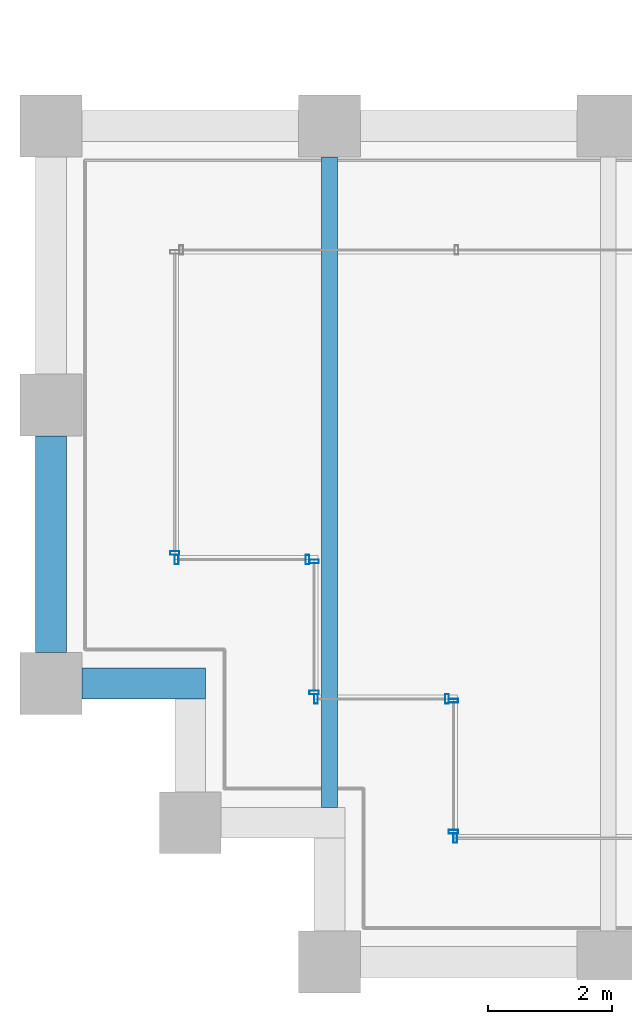
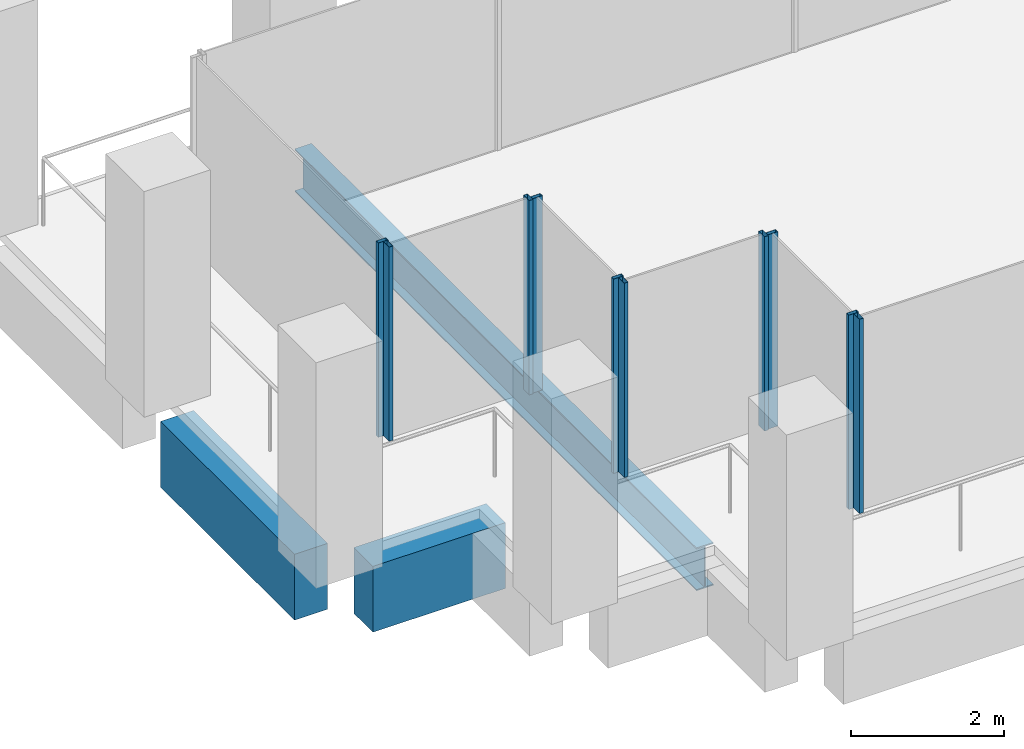
# One storey, part 2 of 46: 10 members, 3 beams, 6 elements without a shape of their own.
"""IFC4 building model written with IfcOpenShell, lengths in metres."""

from ifc_helpers import new_model, si_unit, direction, frame, origin, origin_2d, place, context, subcontext, project, spatial, rectangle, hollow_rectangle, i_section, extrude, material, material_profile, profile_set, type_object, element, aggregate, save


model = new_model("IFC4")

# Units and contexts
model_context = context("Model", 3, precision=1e-05, world=origin(), true_north=direction((0.0, 1.0)))
body_context = subcontext(model_context, "Body", "Model", "MODEL_VIEW")
ifc_project = project(units=[si_unit("LENGTHUNIT", "METRE"), si_unit("AREAUNIT", "SQUARE_METRE"), si_unit("VOLUMEUNIT", "CUBIC_METRE"), si_unit("PLANEANGLEUNIT", "RADIAN"), si_unit("MASSUNIT", "GRAM", prefix="KILO")], contexts=[model_context])

# Site, building, storey
site_placement = place(None, origin())
site = spatial("IfcSite", under=ifc_project, at=site_placement, CompositionType="ELEMENT")
building_placement = place(site_placement, origin())
building = spatial("IfcBuilding", under=site, at=building_placement, Name="Altepetl Exchange Towers", CompositionType="ELEMENT")
storey_placement = place(building_placement, frame((0.0, 0.0, 128.0)))
storey = spatial("IfcBuildingStorey", under=building, at=storey_placement, Name="L31", CompositionType="ELEMENT", Elevation=128.0)

# Beam
ifc_material_1 = material(Name="Steel S355", Category="steel")
ifc_material_profile_1 = material_profile(ifc_material_1, i_section(OverallWidth=0.25390625, OverallDepth=0.68408203125, WebThickness=0.012451171875, FlangeThickness=0.018798828125, at=origin_2d()), Name="W27X94")
ifc_profile_set_1 = profile_set([ifc_material_profile_1], Name="Steel S355")
beam_type_1 = type_object("IfcBeamType", Name="Floor beam W27X94", PredefinedType="BEAM", material=ifc_profile_set_1)
beam_1_placement = place(storey_placement, frame((31.5, 29.5, -0.491943359375), z_axis=(0.0, 1.0, 0.0), x_axis=(-1.0, 0.0, 0.0)))
element("IfcBeam", 1, at=beam_1_placement, inside=storey, type_object=beam_type_1, Name="bm:A:L31:012", PredefinedType="BEAM", context=body_context, shape_type="SweptSolid", body=[
    extrude(i_section(OverallWidth=0.25390625, OverallDepth=0.68408203125, WebThickness=0.012451171875, FlangeThickness=0.018798828125, at=origin_2d()), origin(), (0.0, 0.0, 1.0), 10.5),
])

# Curtain wall, member
ifc_material_2 = material(Name="Aluminium 6063-T6 glazing", Category="aluminium")
curtain_wall_type = type_object("IfcCurtainWallType", Name="Loggia glazing system", PredefinedType="NOTDEFINED", material=ifc_material_2)
curtain_wall_1_placement = place(storey_placement, origin())
curtain_wall_1 = element("IfcCurtainWall", 2, at=curtain_wall_1_placement, inside=storey, type_object=curtain_wall_type, Name="CW1 run", PredefinedType="NOTDEFINED")
ifc_material_3 = material(Name="Aluminium 6063-T6", Category="aluminium")
ifc_material_profile_2 = material_profile(ifc_material_3, hollow_rectangle(XDim=0.06005859375, YDim=0.14990234375, WallThickness=0.0029296875, at=origin_2d()), Name="Mullion 60x150 aluminium")
ifc_profile_set_2 = profile_set([ifc_material_profile_2], Name="Aluminium 6063-T6")
member_type = type_object("IfcMemberType", Name="Mullion 60x150 aluminium", PredefinedType="MULLION", material=ifc_profile_set_2)
member_1_placement = place(storey_placement, frame((29.0, 33.60498046875, 0.0), z_axis=(0.0, 0.0, 1.0), x_axis=(0.0, -1.0, 0.0)))
member_1 = element("IfcMember", 3, at=member_1_placement, type_object=member_type, Name="MU1 mullion", PredefinedType="MULLION", context=body_context, shape_type="SweptSolid", body=[
    extrude(hollow_rectangle(XDim=0.06005859375, YDim=0.14990234375, WallThickness=0.0029296875, at=origin_2d()), origin(), (0.0, 0.0, 1.0), 3.10009765625),
])
aggregate(curtain_wall_1, [member_1])

# Curtain wall, members
curtain_wall_2_placement = place(storey_placement, origin())
curtain_wall_2 = element("IfcCurtainWall", 4, at=curtain_wall_2_placement, inside=storey, type_object=curtain_wall_type, Name="CW1 run", PredefinedType="NOTDEFINED")
member_2_placement = place(storey_placement, frame((29.030029296875, 33.5, 0.0)))
member_2 = element("IfcMember", 5, at=member_2_placement, type_object=member_type, Name="MU1 mullion", PredefinedType="MULLION", context=body_context, shape_type="SweptSolid", body=[
    extrude(hollow_rectangle(XDim=0.06005859375, YDim=0.14990234375, WallThickness=0.0029296875, at=origin_2d()), origin(), (0.0, 0.0, 1.0), 3.10009765625),
])
member_3_placement = place(storey_placement, frame((31.14501953125, 33.5, 0.0)))
member_3 = element("IfcMember", 6, at=member_3_placement, type_object=member_type, Name="MU1 mullion", PredefinedType="MULLION", context=body_context, shape_type="SweptSolid", body=[
    extrude(hollow_rectangle(XDim=0.06005859375, YDim=0.14990234375, WallThickness=0.0029296875, at=origin_2d()), origin(), (0.0, 0.0, 1.0), 3.10009765625),
])
aggregate(curtain_wall_2, [member_2, member_3])

curtain_wall_3_placement = place(storey_placement, origin())
curtain_wall_3 = element("IfcCurtainWall", 7, at=curtain_wall_3_placement, inside=storey, type_object=curtain_wall_type, Name="CW1 run", PredefinedType="NOTDEFINED")
member_4_placement = place(storey_placement, frame((31.25, 33.469970703125, 0.0), z_axis=(0.0, 0.0, 1.0), x_axis=(0.0, -1.0, 0.0)))
member_4 = element("IfcMember", 8, at=member_4_placement, type_object=member_type, Name="MU1 mullion", PredefinedType="MULLION", context=body_context, shape_type="SweptSolid", body=[
    extrude(hollow_rectangle(XDim=0.06005859375, YDim=0.14990234375, WallThickness=0.0029296875, at=origin_2d()), origin(), (0.0, 0.0, 1.0), 3.10009765625),
])
member_5_placement = place(storey_placement, frame((31.25, 31.35498046875, 0.0), z_axis=(0.0, 0.0, 1.0), x_axis=(0.0, -1.0, 0.0)))
member_5 = element("IfcMember", 9, at=member_5_placement, type_object=member_type, Name="MU1 mullion", PredefinedType="MULLION", context=body_context, shape_type="SweptSolid", body=[
    extrude(hollow_rectangle(XDim=0.06005859375, YDim=0.14990234375, WallThickness=0.0029296875, at=origin_2d()), origin(), (0.0, 0.0, 1.0), 3.10009765625),
])
aggregate(curtain_wall_3, [member_4, member_5])

curtain_wall_4_placement = place(storey_placement, origin())
curtain_wall_4 = element("IfcCurtainWall", 10, at=curtain_wall_4_placement, inside=storey, type_object=curtain_wall_type, Name="CW1 run", PredefinedType="NOTDEFINED")
member_6_placement = place(storey_placement, frame((31.280029296875, 31.25, 0.0)))
member_6 = element("IfcMember", 11, at=member_6_placement, type_object=member_type, Name="MU1 mullion", PredefinedType="MULLION", context=body_context, shape_type="SweptSolid", body=[
    extrude(hollow_rectangle(XDim=0.06005859375, YDim=0.14990234375, WallThickness=0.0029296875, at=origin_2d()), origin(), (0.0, 0.0, 1.0), 3.10009765625),
])
member_7_placement = place(storey_placement, frame((33.39501953125, 31.25, 0.0)))
member_7 = element("IfcMember", 12, at=member_7_placement, type_object=member_type, Name="MU1 mullion", PredefinedType="MULLION", context=body_context, shape_type="SweptSolid", body=[
    extrude(hollow_rectangle(XDim=0.06005859375, YDim=0.14990234375, WallThickness=0.0029296875, at=origin_2d()), origin(), (0.0, 0.0, 1.0), 3.10009765625),
])
aggregate(curtain_wall_4, [member_6, member_7])

curtain_wall_5_placement = place(storey_placement, origin())
curtain_wall_5 = element("IfcCurtainWall", 13, at=curtain_wall_5_placement, inside=storey, type_object=curtain_wall_type, Name="CW1 run", PredefinedType="NOTDEFINED")
member_8_placement = place(storey_placement, frame((33.5, 31.219970703125, 0.0), z_axis=(0.0, 0.0, 1.0), x_axis=(0.0, -1.0, 0.0)))
member_8 = element("IfcMember", 14, at=member_8_placement, type_object=member_type, Name="MU1 mullion", PredefinedType="MULLION", context=body_context, shape_type="SweptSolid", body=[
    extrude(hollow_rectangle(XDim=0.06005859375, YDim=0.14990234375, WallThickness=0.0029296875, at=origin_2d()), origin(), (0.0, 0.0, 1.0), 3.10009765625),
])
member_9_placement = place(storey_placement, frame((33.5, 29.10498046875, 0.0), z_axis=(0.0, 0.0, 1.0), x_axis=(0.0, -1.0, 0.0)))
member_9 = element("IfcMember", 15, at=member_9_placement, type_object=member_type, Name="MU1 mullion", PredefinedType="MULLION", context=body_context, shape_type="SweptSolid", body=[
    extrude(hollow_rectangle(XDim=0.06005859375, YDim=0.14990234375, WallThickness=0.0029296875, at=origin_2d()), origin(), (0.0, 0.0, 1.0), 3.10009765625),
])
aggregate(curtain_wall_5, [member_8, member_9])

# Curtain wall, member
curtain_wall_6_placement = place(storey_placement, origin())
curtain_wall_6 = element("IfcCurtainWall", 16, at=curtain_wall_6_placement, inside=storey, type_object=curtain_wall_type, Name="CW1 run", PredefinedType="NOTDEFINED")
member_10_placement = place(storey_placement, frame((33.530029296875, 29.0, 0.0)))
member_10 = element("IfcMember", 17, at=member_10_placement, type_object=member_type, Name="MU1 mullion", PredefinedType="MULLION", context=body_context, shape_type="SweptSolid", body=[
    extrude(hollow_rectangle(XDim=0.06005859375, YDim=0.14990234375, WallThickness=0.0029296875, at=origin_2d()), origin(), (0.0, 0.0, 1.0), 3.10009765625),
])
aggregate(curtain_wall_6, [member_10])

# Beams
ifc_material_4 = material(Name="Concrete C50/60 precast with cantera blanca facing", Category="concrete")
ifc_material_profile_3 = material_profile(ifc_material_4, rectangle(XDim=0.5, YDim=1.050048828125, at=origin_2d()), Name="500 x 1050")
ifc_profile_set_3 = profile_set([ifc_material_profile_3], Name="Concrete C50/60 precast with cantera blanca facing")
beam_type_2 = type_object("IfcBeamType", Name="Spandrel beam 500x1050 cantera blanca", PredefinedType="SPANDREL", material=ifc_profile_set_3)
beam_2_placement = place(storey_placement, frame((27.0, 35.5, -0.675048828125), z_axis=(0.0, -1.0, 0.0), x_axis=(1.0, 0.0, 0.0)))
element("IfcBeam", 18, at=beam_2_placement, inside=storey, type_object=beam_type_2, Name="sp:A:L31:037", PredefinedType="SPANDREL", context=body_context, shape_type="SweptSolid", body=[
    extrude(rectangle(XDim=0.5, YDim=1.050048828125, at=origin_2d()), origin(), (0.0, 0.0, 1.0), 3.5),
])
beam_3_placement = place(storey_placement, frame((27.5, 31.5, -0.675048828125), z_axis=(1.0, 0.0, 0.0), x_axis=(0.0, 1.0, 0.0)))
element("IfcBeam", 19, at=beam_3_placement, inside=storey, type_object=beam_type_2, Name="sp:A:L31:038", PredefinedType="SPANDREL", context=body_context, shape_type="SweptSolid", body=[
    extrude(rectangle(XDim=0.5, YDim=1.050048828125, at=origin_2d()), origin(), (0.0, 0.0, 1.0), 2.0),
])

save(model, "model.ifc")
